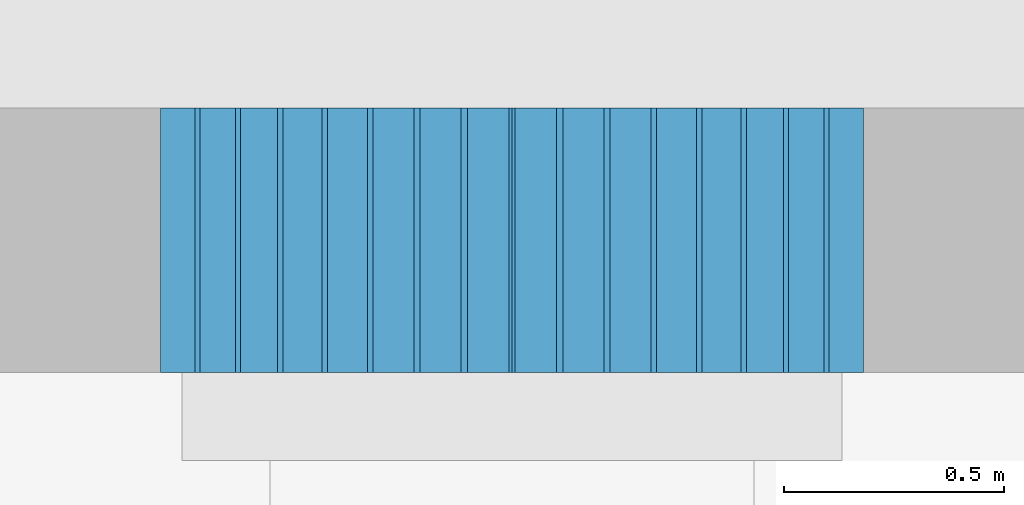
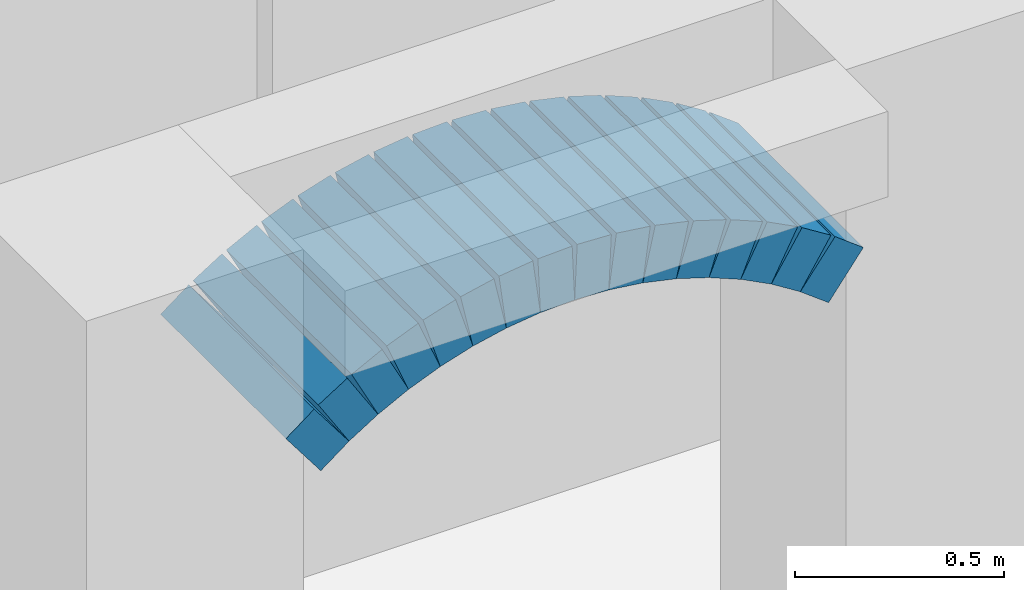
# One storey, part 29 of 115: 16 members.
"""IFC4 building model written with IfcOpenShell, lengths in metres."""

from ifc_helpers import new_model, si_unit, direction, frame, origin, origin_2d, place, context, subcontext, project, spatial, rectangle, extrude, material, material_profile, profile_set, type_object, element, save


model = new_model("IFC4")

# Units and contexts
model_context = context("Model", 3, precision=1e-05, world=origin(), true_north=direction((0.0, 1.0)))
body_context = subcontext(model_context, "Body", "Model", "MODEL_VIEW")
ifc_project = project(units=[si_unit("LENGTHUNIT", "METRE"), si_unit("AREAUNIT", "SQUARE_METRE"), si_unit("VOLUMEUNIT", "CUBIC_METRE"), si_unit("PLANEANGLEUNIT", "RADIAN"), si_unit("MASSUNIT", "GRAM", prefix="KILO")], contexts=[model_context])

# Site, building, storey
site_placement = place(None, origin())
site = spatial("IfcSite", under=ifc_project, at=site_placement, CompositionType="ELEMENT")
building_placement = place(site_placement, origin())
building = spatial("IfcBuilding", under=site, at=building_placement, Name="Ridgestep Commons", CompositionType="ELEMENT")
storey_placement = place(building_placement, frame((0.0, 0.0, 6.0)))
storey = spatial("IfcBuildingStorey", under=building, at=storey_placement, Name="L02", CompositionType="ELEMENT", Elevation=6.0)

# Members
ifc_material = material(Name="Precast concrete C40/50", Category="concrete")
ifc_material_profile = material_profile(ifc_material, rectangle(XDim=0.60009765625, YDim=0.159912109375, at=origin_2d()), Name="Portal arch segment 600 x 160")
ifc_profile_set = profile_set([ifc_material_profile], Name="Precast concrete C40/50")
member_type = type_object("IfcMemberType", Name="Portal arch segment 600 x 160", PredefinedType="USERDEFINED", material=ifc_profile_set)
member_1_placement = place(storey_placement, frame((47.862548828125, 11.449951171875, 2.300048828125), z_axis=(0.797600835796, 0.0, 0.603185632071), x_axis=(0.0, 1.0, 0.0)))
element("IfcMember", 1, at=member_1_placement, inside=storey, type_object=member_type, Name="Portal arch segment A1", ObjectType="ARCH SEGMENT", PredefinedType="USERDEFINED", context=body_context, shape_type="SweptSolid", body=[
    extrude(rectangle(XDim=0.60009765625, YDim=0.159912109375, at=origin_2d()), origin(), (0.0, 0.0, 1.0), 0.097900390625),
])
member_2_placement = place(storey_placement, frame((47.946533203125, 11.449951171875, 2.36328125), z_axis=(0.846835904525, 0.0, 0.53185425711), x_axis=(0.0, 1.0, 0.0)))
element("IfcMember", 2, at=member_2_placement, inside=storey, type_object=member_type, Name="Portal arch segment A2", ObjectType="ARCH SEGMENT", PredefinedType="USERDEFINED", context=body_context, shape_type="SweptSolid", body=[
    extrude(rectangle(XDim=0.60009765625, YDim=0.159912109375, at=origin_2d()), origin(), (0.0, 0.0, 1.0), 0.094482421875),
])
for number, where, z_axis, x_axis, name in (
    (3, (48.03271484375, 11.449951171875, 2.4169921875), (0.888688378727, 0.0, 0.458511685256), (0.0, 1.0, 0.0), "Portal arch segment A3"),
    (4, (48.123046875, 11.449951171875, 2.463134765625), (0.925423721181, 0.0, 0.378933947113), (0.0, 1.0, 0.0), "Portal arch segment A4"),
    (5, (48.21728515625, 11.449951171875, 2.50146484375), (0.954204240747, 0.0, 0.299155924126), (0.0, 1.0, 0.0), "Portal arch segment A5"),
    (6, (48.314208984375, 11.449951171875, 2.531494140625), (0.976849546351, 0.0, 0.213927473211), (0.0, 1.0, 0.0), "Portal arch segment A6"),
    (7, (48.41357421875, 11.449951171875, 2.552978515625), (0.991672073525, 0.0, 0.128788580977), (0.0, 1.0, 0.0), "Portal arch segment A7"),
    (8, (48.514404296875, 11.449951171875, 2.565673828125), (0.999041527498, 0.0, 0.04377243806), (0.0, 1.0, 0.0), "Portal arch segment A8"),
):
    element("IfcMember", number, at=place(storey_placement, frame(where, z_axis=z_axis, x_axis=x_axis)), inside=storey, type_object=member_type, Name=name, ObjectType="ARCH SEGMENT", PredefinedType="USERDEFINED", context=body_context, shape_type="SweptSolid", body=[
        extrude(rectangle(XDim=0.60009765625, YDim=0.159912109375, at=origin_2d()), origin(), (0.0, 0.0, 1.0), 0.0947265625),
    ])
for number, where, z_axis, x_axis, name in (
    (9, (48.615966796875, 11.449951171875, 2.56982421875), (0.999036574918, 0.0, -0.04388532758), (0.0, 1.0, 0.0), "Portal arch segment A9"),
    (10, (48.717529296875, 11.449951171875, 2.565185546875), (0.991629186244, 0.0, -0.129118383625), (0.0, 1.0, 0.0), "Portal arch segment A10"),
):
    element("IfcMember", number, at=place(storey_placement, frame(where, z_axis=z_axis, x_axis=x_axis)), inside=storey, type_object=member_type, Name=name, ObjectType="ARCH SEGMENT", PredefinedType="USERDEFINED", context=body_context, shape_type="SweptSolid", body=[
        extrude(rectangle(XDim=0.60009765625, YDim=0.159912109375, at=origin_2d()), origin(), (0.0, 0.0, 1.0), 0.094482421875),
    ])
member_3_placement = place(storey_placement, frame((48.818115234375, 11.449951171875, 2.5517578125), z_axis=(0.976849546351, 0.0, -0.213927473211), x_axis=(0.0, 1.0, 0.0)))
element("IfcMember", 11, at=member_3_placement, inside=storey, type_object=member_type, Name="Portal arch segment A11", ObjectType="ARCH SEGMENT", PredefinedType="USERDEFINED", context=body_context, shape_type="SweptSolid", body=[
    extrude(rectangle(XDim=0.60009765625, YDim=0.159912109375, at=origin_2d()), origin(), (0.0, 0.0, 1.0), 0.0947265625),
])
member_4_placement = place(storey_placement, frame((48.917236328125, 11.449951171875, 2.52978515625), z_axis=(0.954434191014, 0.0, -0.298421472123), x_axis=(0.0, 1.0, 0.0)))
element("IfcMember", 12, at=member_4_placement, inside=storey, type_object=member_type, Name="Portal arch segment A12", ObjectType="ARCH SEGMENT", PredefinedType="USERDEFINED", context=body_context, shape_type="SweptSolid", body=[
    extrude(rectangle(XDim=0.60009765625, YDim=0.159912109375, at=origin_2d()), origin(), (0.0, 0.0, 1.0), 0.094970703125),
])
for number, where, z_axis, x_axis, name in (
    (13, (49.01416015625, 11.449951171875, 2.4990234375), (0.925423721181, 0.0, -0.378933947113), (0.0, 1.0, 0.0), "Portal arch segment A13"),
    (14, (49.108154296875, 11.449951171875, 2.46044921875), (0.888688378727, 0.0, -0.458511685256), (0.0, 1.0, 0.0), "Portal arch segment A14"),
):
    element("IfcMember", number, at=place(storey_placement, frame(where, z_axis=z_axis, x_axis=x_axis)), inside=storey, type_object=member_type, Name=name, ObjectType="ARCH SEGMENT", PredefinedType="USERDEFINED", context=body_context, shape_type="SweptSolid", body=[
        extrude(rectangle(XDim=0.60009765625, YDim=0.159912109375, at=origin_2d()), origin(), (0.0, 0.0, 1.0), 0.0947265625),
    ])
member_5_placement = place(storey_placement, frame((49.198486328125, 11.449951171875, 2.41357421875), z_axis=(0.846835904525, 0.0, -0.53185425711), x_axis=(0.0, 1.0, 0.0)))
element("IfcMember", 15, at=member_5_placement, inside=storey, type_object=member_type, Name="Portal arch segment A15", ObjectType="ARCH SEGMENT", PredefinedType="USERDEFINED", context=body_context, shape_type="SweptSolid", body=[
    extrude(rectangle(XDim=0.60009765625, YDim=0.159912109375, at=origin_2d()), origin(), (0.0, 0.0, 1.0), 0.094482421875),
])
member_6_placement = place(storey_placement, frame((49.2841796875, 11.449951171875, 2.359130859375), z_axis=(0.79850499213, 0.0, -0.601988187213), x_axis=(0.0, 1.0, 0.0)))
element("IfcMember", 16, at=member_6_placement, inside=storey, type_object=member_type, Name="Portal arch segment A16", ObjectType="ARCH SEGMENT", PredefinedType="USERDEFINED", context=body_context, shape_type="SweptSolid", body=[
    extrude(rectangle(XDim=0.60009765625, YDim=0.159912109375, at=origin_2d()), origin(), (0.0, 0.0, 1.0), 0.09814453125),
])

save(model, "model.ifc")
